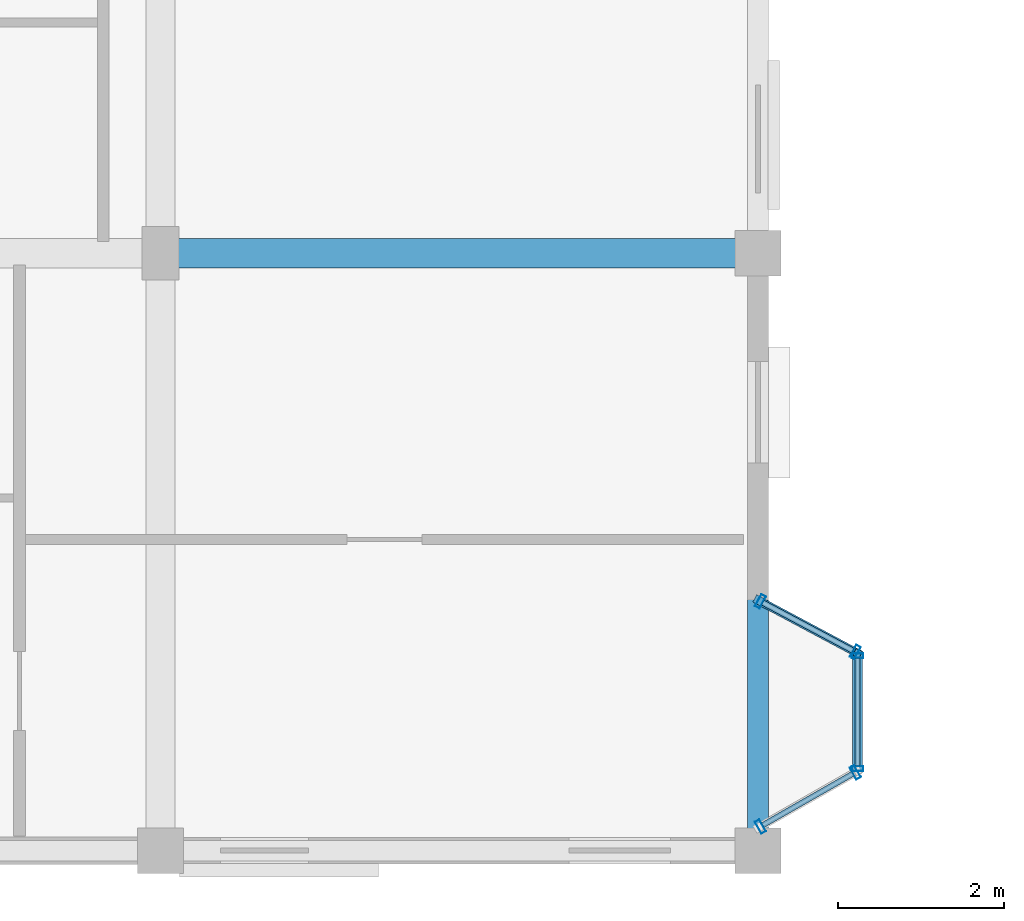
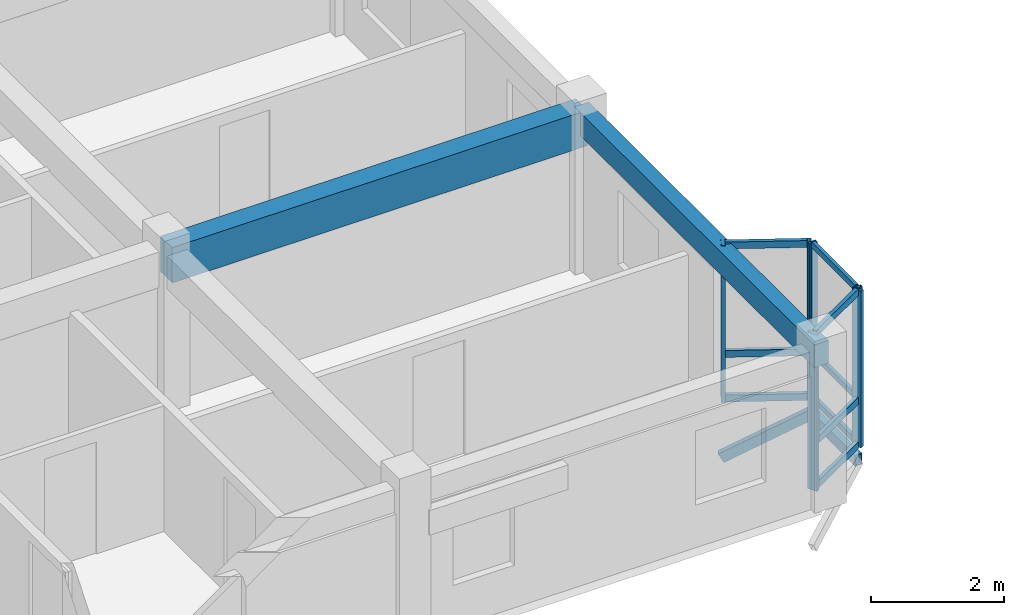
# One storey, part 6 of 77: 17 members, 2 beams, 3 elements without a shape of their own.
"""IFC4 building model written with IfcOpenShell, lengths in metres."""

from ifc_helpers import new_model, si_unit, direction, frame, origin, origin_2d, place, context, subcontext, project, spatial, rectangle, hollow_rectangle, extrude, material, layer, layer_set, material_profile, profile_set, type_object, element, aggregate, save


model = new_model("IFC4")

# Units and contexts
model_context = context("Model", 3, precision=1e-05, world=origin(), true_north=direction((0.0, 1.0)))
body_context = subcontext(model_context, "Body", "Model", "MODEL_VIEW")
ifc_project = project(units=[si_unit("LENGTHUNIT", "METRE"), si_unit("AREAUNIT", "SQUARE_METRE"), si_unit("VOLUMEUNIT", "CUBIC_METRE"), si_unit("PLANEANGLEUNIT", "RADIAN"), si_unit("MASSUNIT", "GRAM", prefix="KILO"), si_unit("THERMODYNAMICTEMPERATUREUNIT", "KELVIN"), si_unit("POWERUNIT", "WATT")], contexts=[model_context])

# Site, building, storey
site_placement = place(None, origin())
site = spatial("IfcSite", under=ifc_project, at=site_placement, CompositionType="ELEMENT")
building_placement = place(site_placement, origin())
building = spatial("IfcBuilding", under=site, at=building_placement, Name="Tavuni Mirador Residences", CompositionType="ELEMENT")
storey_placement = place(building_placement, frame((0.0, 0.0, 17.10009765625)))
storey = spatial("IfcBuildingStorey", under=building, at=storey_placement, Name="L05", CompositionType="ELEMENT", Elevation=17.10009765625)

# Beams
ifc_material_1 = material(Name="Precast concrete C40/50", Category="concrete")
ifc_material_profile_1 = material_profile(ifc_material_1, rectangle(XDim=0.35009765625, YDim=0.64990234375, at=origin_2d()), Name="PC 350x650", Category="concrete")
ifc_profile_set_1 = profile_set([ifc_material_profile_1], Name="Precast concrete C40/50")
beam_type_1 = type_object("IfcBeamType", Name="BT-B650", PredefinedType="BEAM", material=ifc_profile_set_1)
beam_1_placement = place(storey_placement, frame((25.199951171875, 14.39990234375, 2.544921875), z_axis=(1.0, 0.0, 0.0), x_axis=(0.0, 1.0, 0.0)))
element("IfcBeam", 1, at=beam_1_placement, inside=storey, type_object=beam_type_1, Name="BMX-BLK-A-L05-03-01", PredefinedType="BEAM", context=body_context, shape_type="SweptSolid", body=[
    extrude(rectangle(XDim=0.35009765625, YDim=0.64990234375, at=origin_2d()), origin(), (0.0, 0.0, 1.0), 7.199951171875),
])
ifc_material_profile_2 = material_profile(ifc_material_1, rectangle(XDim=0.25, YDim=0.419921875, at=origin_2d()), Name="PC 250x420", Category="concrete")
ifc_profile_set_2 = profile_set([ifc_material_profile_2], Name="Precast concrete C40/50")
beam_type_2 = type_object("IfcBeamType", Name="BT-SP420", PredefinedType="SPANDREL", material=ifc_profile_set_2)
beam_2_placement = place(storey_placement, frame((32.39990234375, 7.199951171875, 2.659912109375), z_axis=(0.0, 1.0, 0.0), x_axis=(-1.0, 0.0, 0.0)))
element("IfcBeam", 2, at=beam_2_placement, inside=storey, type_object=beam_type_2, Name="BMY-BLK-A-L05-04-00", PredefinedType="SPANDREL", context=body_context, shape_type="SweptSolid", body=[
    extrude(rectangle(XDim=0.25, YDim=0.419921875, at=origin_2d()), origin(), (0.0, 0.0, 1.0), 7.199951171875),
])

# Curtain wall, members
ifc_material_2 = material(Name="Anodised aluminium", Category="aluminium")
ifc_layer_1 = layer(ifc_material_2, 0.175048828125, Name="Anodised aluminium", Category="aluminium")
ifc_layer_set_1 = layer_set([ifc_layer_1], Name="Anodised aluminium")
curtain_wall_type_1 = type_object("IfcCurtainWallType", Name="CWT-MIR-C", PredefinedType="NOTDEFINED", material=ifc_layer_set_1)
curtain_wall_1_placement = place(storey_placement, origin())
curtain_wall_1 = element("IfcCurtainWall", 3, at=curtain_wall_1_placement, inside=storey, type_object=curtain_wall_type_1, Name="CW-MIR-A-E1-L05-MF", PredefinedType="NOTDEFINED")
ifc_material_profile_3 = material_profile(ifc_material_2, hollow_rectangle(XDim=0.06005859375, YDim=0.139892578125, WallThickness=0.00390625, at=origin_2d()), Name="ALU 60x140x4.0", Category="aluminium")
ifc_profile_set_3 = profile_set([ifc_material_profile_3], Name="Anodised aluminium")
member_type_1 = type_object("IfcMemberType", Name="CWM-140", PredefinedType="MULLION", material=ifc_profile_set_3)
member_1_placement = place(storey_placement, frame((33.60009765625, 8.18994140625, 0.0), z_axis=(0.0, 0.0, 1.0), x_axis=(0.0, 1.0, 0.0)))
member_1 = element("IfcMember", 4, at=member_1_placement, type_object=member_type_1, Name="CW-03 mullion 1", PredefinedType="MULLION", context=body_context, shape_type="SweptSolid", body=[
    extrude(hollow_rectangle(XDim=0.06005859375, YDim=0.139892578125, WallThickness=0.00390625, at=origin_2d()), origin(), (0.0, 0.0, 1.0), 2.869873046875),
])
member_2_placement = place(storey_placement, frame((33.60009765625, 9.550048828125, 0.0), z_axis=(0.0, 0.0, 1.0), x_axis=(0.0, 1.0, 0.0)))
member_2 = element("IfcMember", 5, at=member_2_placement, type_object=member_type_1, Name="CW-03 mullion 2", PredefinedType="MULLION", context=body_context, shape_type="SweptSolid", body=[
    extrude(hollow_rectangle(XDim=0.06005859375, YDim=0.139892578125, WallThickness=0.00390625, at=origin_2d()), origin(), (0.0, 0.0, 1.0), 2.869873046875),
])

ifc_layer_2 = layer(ifc_material_2, 0.14990234375, Name="Anodised aluminium", Category="aluminium")
ifc_layer_set_2 = layer_set([ifc_layer_2], Name="Anodised aluminium")
curtain_wall_type_2 = type_object("IfcCurtainWallType", Name="CWT-MIR-B", PredefinedType="NOTDEFINED", material=ifc_layer_set_2)
curtain_wall_2_placement = place(storey_placement, origin())
curtain_wall_2 = element("IfcCurtainWall", 6, at=curtain_wall_2_placement, inside=storey, type_object=curtain_wall_type_2, Name="CW-MIR-A-E1-L05-M1", PredefinedType="NOTDEFINED")
ifc_material_profile_4 = material_profile(ifc_material_2, hollow_rectangle(XDim=0.06494140625, YDim=0.1650390625, WallThickness=0.00439453125, at=origin_2d()), Name="ALU 65x165x4.5", Category="aluminium")
ifc_profile_set_4 = profile_set([ifc_material_profile_4], Name="Anodised aluminium")
member_type_2 = type_object("IfcMemberType", Name="CWM-165", PredefinedType="MULLION", material=ifc_profile_set_4)
member_3_placement = place(storey_placement, frame((32.42822265625, 7.4912109375, 0.0), z_axis=(0.0, 0.0, 1.0), x_axis=(0.868465738194, 0.495749192217, 0.0)))
member_3 = element("IfcMember", 7, at=member_3_placement, type_object=member_type_2, Name="CW-02 mullion 1", PredefinedType="MULLION", context=body_context, shape_type="SweptSolid", body=[
    extrude(hollow_rectangle(XDim=0.06494140625, YDim=0.1650390625, WallThickness=0.00439453125, at=origin_2d()), origin(), (0.0, 0.0, 1.0), 2.869873046875),
])
member_4_placement = place(storey_placement, frame((33.57177734375, 8.143798828125, 0.0), z_axis=(0.0, 0.0, 1.0), x_axis=(0.868465738194, 0.495749192217, 0.0)))
member_4 = element("IfcMember", 8, at=member_4_placement, type_object=member_type_2, Name="CW-02 mullion 2", PredefinedType="MULLION", context=body_context, shape_type="SweptSolid", body=[
    extrude(hollow_rectangle(XDim=0.06494140625, YDim=0.1650390625, WallThickness=0.00439453125, at=origin_2d()), origin(), (0.0, 0.0, 1.0), 2.869873046875),
])

ifc_layer_3 = layer(ifc_material_2, 0.159912109375, Name="Anodised aluminium", Category="aluminium")
ifc_layer_set_3 = layer_set([ifc_layer_3], Name="Anodised aluminium")
curtain_wall_type_3 = type_object("IfcCurtainWallType", Name="CWT-MIR-D", PredefinedType="NOTDEFINED", material=ifc_layer_set_3)
curtain_wall_3_placement = place(storey_placement, origin())
curtain_wall_3 = element("IfcCurtainWall", 9, at=curtain_wall_3_placement, inside=storey, type_object=curtain_wall_type_3, Name="CW-MIR-A-E1-L05-M2", PredefinedType="NOTDEFINED")
member_5_placement = place(storey_placement, frame((33.5712890625, 9.59521484375, 0.0), z_axis=(0.0, 0.0, 1.0), x_axis=(-0.882352941175, 0.470588235296, 0.0)))
member_5 = element("IfcMember", 10, at=member_5_placement, type_object=member_type_2, Name="CW-04 mullion 1", PredefinedType="MULLION", context=body_context, shape_type="SweptSolid", body=[
    extrude(hollow_rectangle(XDim=0.06494140625, YDim=0.1650390625, WallThickness=0.00439453125, at=origin_2d()), origin(), (0.0, 0.0, 1.0), 2.869873046875),
])
member_6_placement = place(storey_placement, frame((32.4287109375, 10.20458984375, 0.0), z_axis=(0.0, 0.0, 1.0), x_axis=(-0.882352941175, 0.470588235296, 0.0)))
member_6 = element("IfcMember", 11, at=member_6_placement, type_object=member_type_2, Name="CW-04 mullion 2", PredefinedType="MULLION", context=body_context, shape_type="SweptSolid", body=[
    extrude(hollow_rectangle(XDim=0.06494140625, YDim=0.1650390625, WallThickness=0.00439453125, at=origin_2d()), origin(), (0.0, 0.0, 1.0), 2.869873046875),
])

# Member
ifc_material_profile_5 = material_profile(ifc_material_2, hollow_rectangle(XDim=0.06005859375, YDim=0.110107421875, WallThickness=0.00390625, at=origin_2d()), Name="ALU 60x110x4.0", Category="aluminium")
ifc_profile_set_5 = profile_set([ifc_material_profile_5], Name="Anodised aluminium")
member_type_3 = type_object("IfcMemberType", Name="CWT-110", PredefinedType="USERDEFINED", material=ifc_profile_set_5)
member_7_placement = place(storey_placement, frame((33.60009765625, 8.219970703125, 0.02978515625), z_axis=(0.0, 1.0, 0.0), x_axis=(-1.0, 0.0, 0.0)))
member_7 = element("IfcMember", 12, at=member_7_placement, type_object=member_type_3, Name="CW-03 transom 1.1", ObjectType="TRANSOM", PredefinedType="USERDEFINED", context=body_context, shape_type="SweptSolid", body=[
    extrude(hollow_rectangle(XDim=0.06005859375, YDim=0.110107421875, WallThickness=0.00390625, at=origin_2d()), origin(), (0.0, 0.0, 1.0), 1.300048828125),
])

member_8_placement = place(storey_placement, frame((33.60009765625, 8.219970703125, 0.849853515625), z_axis=(0.0, 1.0, 0.0), x_axis=(-1.0, 0.0, 0.0)))
member_8 = element("IfcMember", 13, at=member_8_placement, type_object=member_type_3, Name="CW-03 transom 1.2", ObjectType="TRANSOM", PredefinedType="USERDEFINED", context=body_context, shape_type="SweptSolid", body=[
    extrude(hollow_rectangle(XDim=0.06005859375, YDim=0.110107421875, WallThickness=0.00390625, at=origin_2d()), origin(), (0.0, 0.0, 1.0), 1.300048828125),
])

member_9_placement = place(storey_placement, frame((33.60009765625, 8.219970703125, 2.83984375), z_axis=(0.0, 1.0, 0.0), x_axis=(-1.0, 0.0, 0.0)))
member_9 = element("IfcMember", 14, at=member_9_placement, type_object=member_type_3, Name="CW-03 transom 1.3", ObjectType="TRANSOM", PredefinedType="USERDEFINED", context=body_context, shape_type="SweptSolid", body=[
    extrude(hollow_rectangle(XDim=0.06005859375, YDim=0.110107421875, WallThickness=0.00390625, at=origin_2d()), origin(), (0.0, 0.0, 1.0), 1.300048828125),
])

aggregate(curtain_wall_1, [member_1, member_2, member_7, member_8, member_9])

ifc_material_profile_6 = material_profile(ifc_material_2, hollow_rectangle(XDim=0.06494140625, YDim=0.125, WallThickness=0.00439453125, at=origin_2d()), Name="ALU 65x125x4.5", Category="aluminium")
ifc_profile_set_6 = profile_set([ifc_material_profile_6], Name="Anodised aluminium")
member_type_4 = type_object("IfcMemberType", Name="CWT-125", PredefinedType="USERDEFINED", material=ifc_profile_set_6)
member_10_placement = place(storey_placement, frame((32.45654296875, 7.50732421875, 0.032470703125), z_axis=(0.868495133122, 0.495697693905, 0.0), x_axis=(-0.495697693905, 0.868495133122, 0.0)))
member_10 = element("IfcMember", 15, at=member_10_placement, type_object=member_type_4, Name="CW-02 transom 1.1", ObjectType="TRANSOM", PredefinedType="USERDEFINED", context=body_context, shape_type="SweptSolid", body=[
    extrude(hollow_rectangle(XDim=0.06494140625, YDim=0.125, WallThickness=0.00439453125, at=origin_2d()), origin(), (0.0, 0.0, 1.0), 1.25146484375),
])

member_11_placement = place(storey_placement, frame((32.45654296875, 7.50732421875, 0.849853515625), z_axis=(0.868495133122, 0.495697693905, 0.0), x_axis=(-0.495697693905, 0.868495133122, 0.0)))
member_11 = element("IfcMember", 16, at=member_11_placement, type_object=member_type_4, Name="CW-02 transom 1.2", ObjectType="TRANSOM", PredefinedType="USERDEFINED", context=body_context, shape_type="SweptSolid", body=[
    extrude(hollow_rectangle(XDim=0.06494140625, YDim=0.125, WallThickness=0.00439453125, at=origin_2d()), origin(), (0.0, 0.0, 1.0), 1.25146484375),
])

member_12_placement = place(storey_placement, frame((32.45654296875, 7.50732421875, 2.83740234375), z_axis=(0.868495133122, 0.495697693905, 0.0), x_axis=(-0.495697693905, 0.868495133122, 0.0)))
member_12 = element("IfcMember", 17, at=member_12_placement, type_object=member_type_4, Name="CW-02 transom 1.3", ObjectType="TRANSOM", PredefinedType="USERDEFINED", context=body_context, shape_type="SweptSolid", body=[
    extrude(hollow_rectangle(XDim=0.06494140625, YDim=0.125, WallThickness=0.00439453125, at=origin_2d()), origin(), (0.0, 0.0, 1.0), 1.25146484375),
])

aggregate(curtain_wall_2, [member_3, member_4, member_10, member_11, member_12])

member_13_placement = place(storey_placement, frame((33.542724609375, 9.610595703125, 0.032470703125), z_axis=(-0.882369422046, 0.47055733236, 0.0), x_axis=(-0.47055733236, -0.882369422046, 0.0)))
member_13 = element("IfcMember", 18, at=member_13_placement, type_object=member_type_4, Name="CW-04 transom 1.1", ObjectType="TRANSOM", PredefinedType="USERDEFINED", context=body_context, shape_type="SweptSolid", body=[
    extrude(hollow_rectangle(XDim=0.06494140625, YDim=0.125, WallThickness=0.00439453125, at=origin_2d()), origin(), (0.0, 0.0, 1.0), 1.230224609375),
])

member_14_placement = place(storey_placement, frame((33.542724609375, 9.610595703125, 0.849853515625), z_axis=(-0.882369422046, 0.47055733236, 0.0), x_axis=(-0.47055733236, -0.882369422046, 0.0)))
member_14 = element("IfcMember", 19, at=member_14_placement, type_object=member_type_4, Name="CW-04 transom 1.2", ObjectType="TRANSOM", PredefinedType="USERDEFINED", context=body_context, shape_type="SweptSolid", body=[
    extrude(hollow_rectangle(XDim=0.06494140625, YDim=0.125, WallThickness=0.00439453125, at=origin_2d()), origin(), (0.0, 0.0, 1.0), 1.230224609375),
])

member_15_placement = place(storey_placement, frame((33.542724609375, 9.610595703125, 2.83740234375), z_axis=(-0.882369422046, 0.47055733236, 0.0), x_axis=(-0.47055733236, -0.882369422046, 0.0)))
member_15 = element("IfcMember", 20, at=member_15_placement, type_object=member_type_4, Name="CW-04 transom 1.3", ObjectType="TRANSOM", PredefinedType="USERDEFINED", context=body_context, shape_type="SweptSolid", body=[
    extrude(hollow_rectangle(XDim=0.06494140625, YDim=0.125, WallThickness=0.00439453125, at=origin_2d()), origin(), (0.0, 0.0, 1.0), 1.230224609375),
])

aggregate(curtain_wall_3, [member_5, member_6, member_13, member_14, member_15])

# Members
ifc_material_3 = material(Name="Structural steel S355", Category="steel")
ifc_material_profile_7 = material_profile(ifc_material_3, hollow_rectangle(XDim=0.10009765625, YDim=0.179931640625, WallThickness=0.008056640625, at=origin_2d()), Name="RHS 180x100x8.0", Category="steel")
ifc_profile_set_7 = profile_set([ifc_material_profile_7], Name="Structural steel S355")
member_type_5 = type_object("IfcMemberType", Name="MT-BR-RHS180", PredefinedType="BRACE", material=ifc_profile_set_7)
member_16_placement = place(storey_placement, frame((32.39990234375, 10.219970703125, -1.050048828125), z_axis=(0.767896193149, -0.409409260017, 0.492665702439), x_axis=(0.470467115558, 0.882417527692, 0.0)))
element("IfcMember", 21, at=member_16_placement, inside=storey, type_object=member_type_5, Name="MBRK-MIR-A-E1-L05-2", PredefinedType="BRACE", context=body_context, shape_type="SweptSolid", body=[
    extrude(hollow_rectangle(XDim=0.10009765625, YDim=0.179931640625, WallThickness=0.008056640625, at=origin_2d()), origin(), (0.0, 0.0, 1.0), 1.56298828125),
])
ifc_material_profile_8 = material_profile(ifc_material_3, hollow_rectangle(XDim=0.1201171875, YDim=0.199951171875, WallThickness=0.010009765625, at=origin_2d()), Name="RHS 200x120x10.0", Category="steel")
ifc_profile_set_8 = profile_set([ifc_material_profile_8], Name="Structural steel S355")
member_type_6 = type_object("IfcMemberType", Name="MT-ST-RHS200", PredefinedType="STRUT", material=ifc_profile_set_8)
member_17_placement = place(storey_placement, frame((33.60009765625, 8.159912109375, -0.280029296875), z_axis=(0.0, 1.0, 0.0), x_axis=(-1.0, 0.0, 0.0)))
element("IfcMember", 22, at=member_17_placement, inside=storey, type_object=member_type_6, Name="MRIM-MIR-A-E1-L05", PredefinedType="STRUT", context=body_context, shape_type="SweptSolid", body=[
    extrude(hollow_rectangle(XDim=0.1201171875, YDim=0.199951171875, WallThickness=0.010009765625, at=origin_2d()), origin(), (0.0, 0.0, 1.0), 1.420166015625),
])

save(model, "model.ifc")
